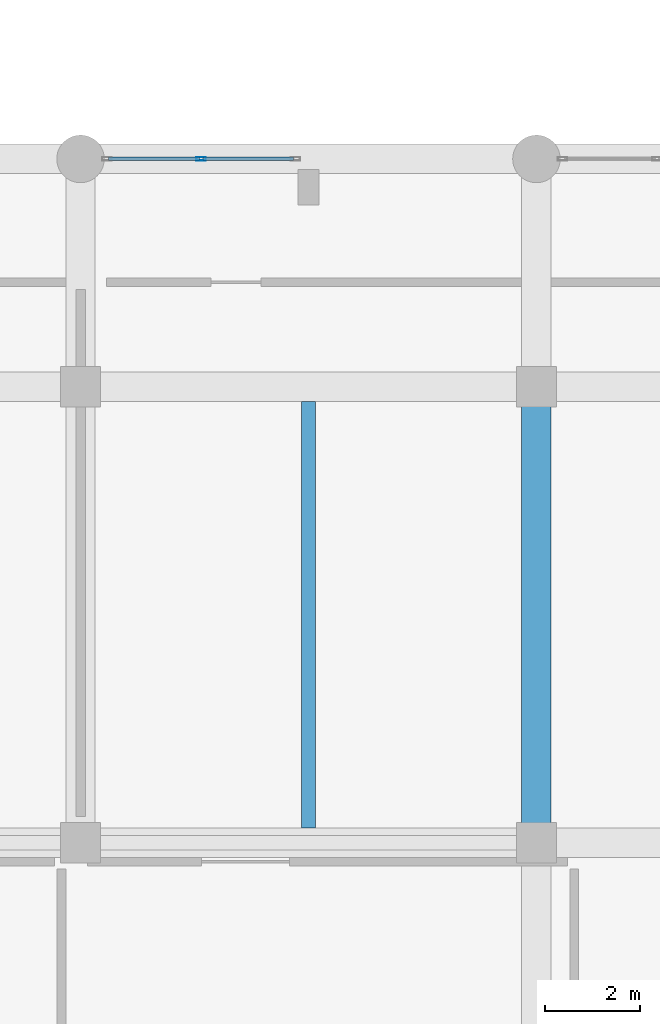
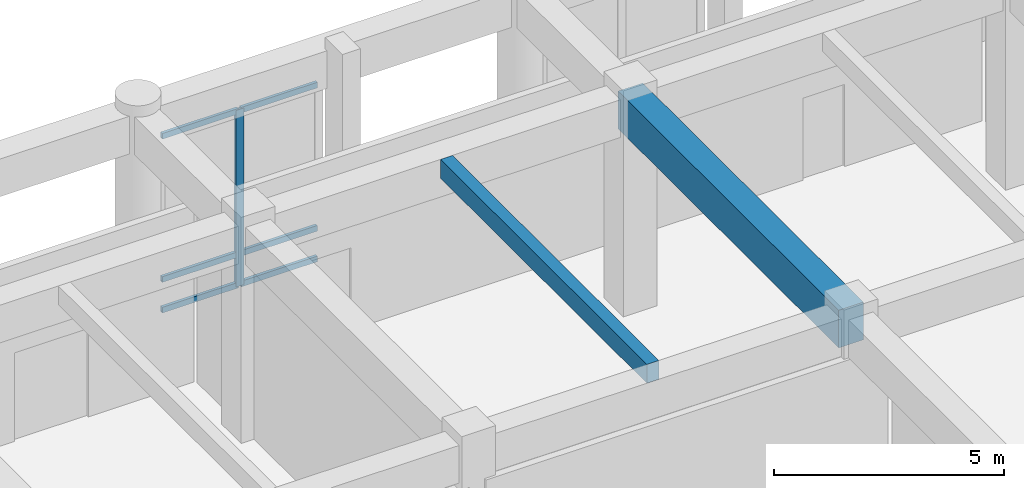
# One storey, part 22 of 87: 7 members, 2 beams, 1 element without a shape of its own.
"""IFC4 building model written with IfcOpenShell, lengths in metres."""

from ifc_helpers import new_model, si_unit, direction, frame, origin, origin_2d, place, context, subcontext, project, spatial, rectangle, hollow_rectangle, extrude, material, layer, layer_set, material_profile, profile_set, type_object, element, aggregate, save


model = new_model("IFC4")

# Units and contexts
model_context = context("Model", 3, precision=1e-05, world=origin(), true_north=direction((0.0, 1.0)))
body_context = subcontext(model_context, "Body", "Model", "MODEL_VIEW")
ifc_project = project(units=[si_unit("LENGTHUNIT", "METRE"), si_unit("AREAUNIT", "SQUARE_METRE"), si_unit("VOLUMEUNIT", "CUBIC_METRE"), si_unit("PLANEANGLEUNIT", "RADIAN"), si_unit("MASSUNIT", "GRAM", prefix="KILO")], contexts=[model_context])

# Site, building, storey
site_placement = place(None, origin())
site = spatial("IfcSite", under=ifc_project, at=site_placement, CompositionType="ELEMENT")
building_placement = place(site_placement, origin())
building = spatial("IfcBuilding", under=site, at=building_placement, Name="Nakhvara Creek Congress Hotel", CompositionType="ELEMENT")
storey_placement = place(building_placement, origin())
storey = spatial("IfcBuildingStorey", under=building, at=storey_placement, Name="L00", CompositionType="ELEMENT", Elevation=0.0)

# Beams
ifc_material_1 = material(Name="Concrete C40/50", Category="concrete")
ifc_material_profile_1 = material_profile(ifc_material_1, rectangle(XDim=0.300048828125, YDim=0.5, at=origin_2d()), Name="RC-BM 300x500", Category="LoadBearing")
ifc_profile_set_1 = profile_set([ifc_material_profile_1], Name="Concrete C40/50")
beam_type_1 = type_object("IfcBeamType", Name="BM-JST-300X500", PredefinedType="JOIST", material=ifc_profile_set_1)
beam_1_placement = place(storey_placement, frame((110.39990234375, 29.110107421875, 5.449951171875), z_axis=(0.0, 1.0, 0.0), x_axis=(-1.0, 0.0, 0.0)))
element("IfcBeam", 1, at=beam_1_placement, inside=storey, type_object=beam_type_1, Name="Secondary Joist BJ1-L00-1046", PredefinedType="JOIST", context=body_context, shape_type="SweptSolid", body=[
    extrude(rectangle(XDim=0.300048828125, YDim=0.5, at=origin_2d()), origin(), (0.0, 0.0, 1.0), 8.97998046875),
])
ifc_material_2 = material(Name="Concrete C50/60", Category="concrete")
ifc_material_profile_2 = material_profile(ifc_material_2, rectangle(XDim=0.6201171875, YDim=1.0, at=origin_2d()), Name="RC-BM 620x1000", Category="LoadBearing")
ifc_profile_set_2 = profile_set([ifc_material_profile_2], Name="Concrete C50/60")
beam_type_2 = type_object("IfcBeamType", Name="BM-RC-620X1000", PredefinedType="BEAM", material=ifc_profile_set_2)
beam_2_placement = place(storey_placement, frame((115.199951171875, 28.800048828125, 5.199951171875), z_axis=(0.0, 1.0, 0.0), x_axis=(-1.0, 0.0, 0.0)))
element("IfcBeam", 2, at=beam_2_placement, inside=storey, type_object=beam_type_2, Name="Beam B16-L00-0873", PredefinedType="BEAM", context=body_context, shape_type="SweptSolid", body=[
    extrude(rectangle(XDim=0.6201171875, YDim=1.0, at=origin_2d()), origin(), (0.0, 0.0, 1.0), 9.599853515625),
])

# Curtain wall, members
ifc_material_3 = material(Name="Bronze-anodised aluminium AW-6063-T6 and double-silver low-E glass", Category="aluminium")
ifc_layer = layer(ifc_material_3, 0.199951171875)
ifc_layer_set = layer_set([ifc_layer], Name="Bronze-anodised aluminium AW-6063-T6 and double-silver low-E glass")
curtain_wall_type = type_object("IfcCurtainWallType", Name="CW-POD-STICK", PredefinedType="NOTDEFINED", material=ifc_layer_set)
curtain_wall_placement = place(storey_placement, origin())
curtain_wall = element("IfcCurtainWall", 3, at=curtain_wall_placement, inside=storey, type_object=curtain_wall_type, Name="Curtain Wall CW007", PredefinedType="NOTDEFINED")
ifc_material_4 = material(Name="Bronze-anodised aluminium AW-6063-T6", Category="aluminium")
ifc_material_profile_3 = material_profile(ifc_material_4, hollow_rectangle(XDim=0.074951171875, YDim=0.199951171875, WallThickness=0.0048828125, at=origin_2d()), Name="ALU-MULL 75x200x5", Category="LoadBearing")
ifc_profile_set_3 = profile_set([ifc_material_profile_3], Name="Bronze-anodised aluminium AW-6063-T6")
member_type_1 = type_object("IfcMemberType", Name="CW-MULL-200", PredefinedType="MULLION", material=ifc_profile_set_3)
member_1_placement = place(storey_placement, frame((108.137451171875, 43.199951171875, 0.0), z_axis=(0.0, 0.0, 1.0), x_axis=(0.0, 1.0, 0.0)))
member_1 = element("IfcMember", 4, at=member_1_placement, type_object=member_type_1, Name="CW007 mullion 2", PredefinedType="MULLION", context=body_context, shape_type="SweptSolid", body=[
    extrude(hollow_rectangle(XDim=0.074951171875, YDim=0.199951171875, WallThickness=0.0048828125, at=origin_2d()), origin(), (0.0, 0.0, 1.0), 4.69189453125),
])
ifc_material_profile_4 = material_profile(ifc_material_4, hollow_rectangle(XDim=0.074951171875, YDim=0.14990234375, WallThickness=0.00390625, at=origin_2d()), Name="ALU-TRAN 75x150x4", Category="LoadBearing")
ifc_profile_set_4 = profile_set([ifc_material_profile_4], Name="Bronze-anodised aluminium AW-6063-T6")
member_type_2 = type_object("IfcMemberType", Name="CW-TRAN-150", PredefinedType="USERDEFINED", material=ifc_profile_set_4)
member_2_placement = place(storey_placement, frame((106.18994140625, 43.199951171875, 0.03759765625), z_axis=(1.0, 0.0, 0.0), x_axis=(0.0, 1.0, 0.0)))
member_2 = element("IfcMember", 5, at=member_2_placement, type_object=member_type_2, Name="CW007 transom 1.1", ObjectType="TRANSOM", PredefinedType="USERDEFINED", context=body_context, shape_type="SweptSolid", body=[
    extrude(hollow_rectangle(XDim=0.074951171875, YDim=0.14990234375, WallThickness=0.00390625, at=origin_2d()), origin(), (0.0, 0.0, 1.0), 1.91015625),
])
member_3_placement = place(storey_placement, frame((106.18994140625, 43.199951171875, 0.85009765625), z_axis=(1.0, 0.0, 0.0), x_axis=(0.0, 1.0, 0.0)))
member_3 = element("IfcMember", 6, at=member_3_placement, type_object=member_type_2, Name="CW007 transom 1.2", ObjectType="TRANSOM", PredefinedType="USERDEFINED", context=body_context, shape_type="SweptSolid", body=[
    extrude(hollow_rectangle(XDim=0.074951171875, YDim=0.14990234375, WallThickness=0.00390625, at=origin_2d()), origin(), (0.0, 0.0, 1.0), 1.91015625),
])
member_4_placement = place(storey_placement, frame((106.18994140625, 43.199951171875, 4.654541015625), z_axis=(1.0, 0.0, 0.0), x_axis=(0.0, 1.0, 0.0)))
member_4 = element("IfcMember", 7, at=member_4_placement, type_object=member_type_2, Name="CW007 transom 1.3", ObjectType="TRANSOM", PredefinedType="USERDEFINED", context=body_context, shape_type="SweptSolid", body=[
    extrude(hollow_rectangle(XDim=0.074951171875, YDim=0.14990234375, WallThickness=0.00390625, at=origin_2d()), origin(), (0.0, 0.0, 1.0), 1.91015625),
])
member_5_placement = place(storey_placement, frame((108.175048828125, 43.199951171875, 0.03759765625), z_axis=(1.0, 0.0, 0.0), x_axis=(0.0, 1.0, 0.0)))
member_5 = element("IfcMember", 8, at=member_5_placement, type_object=member_type_2, Name="CW007 transom 2.1", ObjectType="TRANSOM", PredefinedType="USERDEFINED", context=body_context, shape_type="SweptSolid", body=[
    extrude(hollow_rectangle(XDim=0.074951171875, YDim=0.14990234375, WallThickness=0.00390625, at=origin_2d()), origin(), (0.0, 0.0, 1.0), 1.909912109375),
])
member_6_placement = place(storey_placement, frame((108.175048828125, 43.199951171875, 0.85009765625), z_axis=(1.0, 0.0, 0.0), x_axis=(0.0, 1.0, 0.0)))
member_6 = element("IfcMember", 9, at=member_6_placement, type_object=member_type_2, Name="CW007 transom 2.2", ObjectType="TRANSOM", PredefinedType="USERDEFINED", context=body_context, shape_type="SweptSolid", body=[
    extrude(hollow_rectangle(XDim=0.074951171875, YDim=0.14990234375, WallThickness=0.00390625, at=origin_2d()), origin(), (0.0, 0.0, 1.0), 1.909912109375),
])
member_7_placement = place(storey_placement, frame((108.175048828125, 43.199951171875, 4.654541015625), z_axis=(1.0, 0.0, 0.0), x_axis=(0.0, 1.0, 0.0)))
member_7 = element("IfcMember", 10, at=member_7_placement, type_object=member_type_2, Name="CW007 transom 2.3", ObjectType="TRANSOM", PredefinedType="USERDEFINED", context=body_context, shape_type="SweptSolid", body=[
    extrude(hollow_rectangle(XDim=0.074951171875, YDim=0.14990234375, WallThickness=0.00390625, at=origin_2d()), origin(), (0.0, 0.0, 1.0), 1.909912109375),
])
aggregate(curtain_wall, [member_1, member_2, member_3, member_4, member_5, member_6, member_7])

save(model, "model.ifc")
